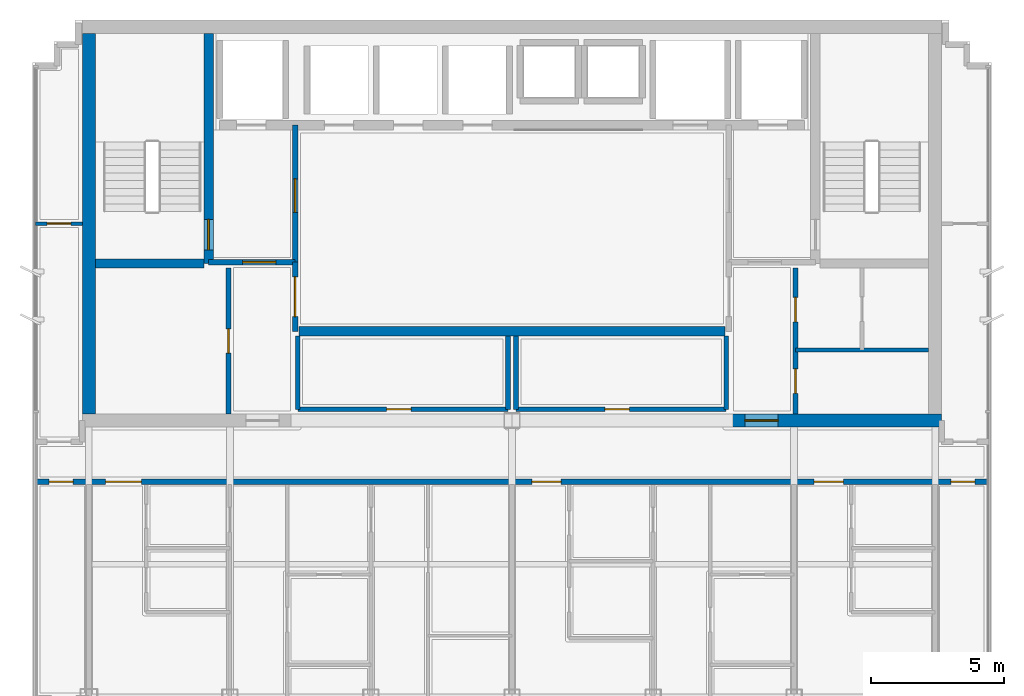
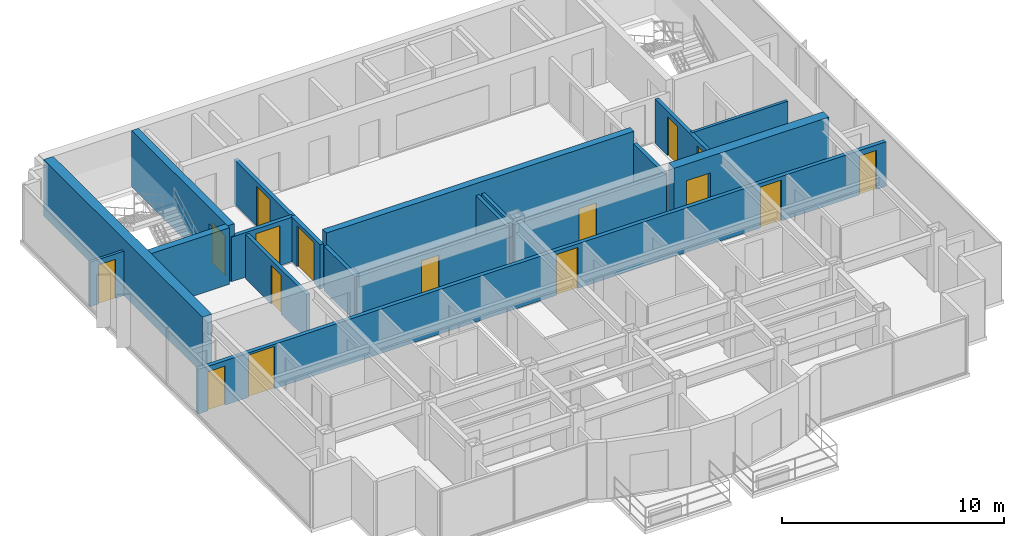
# One storey, part 7 of 11: 19 walls, 16 doors, 16 openings.
"""IFC4 building model written with IfcOpenShell, lengths in metres."""

from ifc_helpers import new_model, si_unit, direction, frame, frame_2d, origin, place, context, subcontext, project, spatial, rectangle, extrude, material, layer, layer_set, type_object, element, fill, save


model = new_model("IFC4")

# Units and contexts
model_context = context("Model", 3, precision=1e-05, world=origin(), true_north=direction((0.0, 1.0)))
body_context = subcontext(model_context, "Body", "Model", "MODEL_VIEW")
ifc_project = project(units=[si_unit("LENGTHUNIT", "METRE"), si_unit("AREAUNIT", "SQUARE_METRE"), si_unit("VOLUMEUNIT", "CUBIC_METRE"), si_unit("PLANEANGLEUNIT", "RADIAN"), si_unit("MASSUNIT", "GRAM", prefix="KILO")], contexts=[model_context])

# Site, building, storey
site_placement = place(None, origin())
site = spatial("IfcSite", under=ifc_project, at=site_placement, CompositionType="ELEMENT")
building_placement = place(site_placement, origin())
building = spatial("IfcBuilding", under=site, at=building_placement, Name="Qianlan Lanfeng Residences", CompositionType="ELEMENT")
storey_placement = place(building_placement, frame((0.0, 0.0, 259.39990234375)))
storey = spatial("IfcBuildingStorey", under=building, at=storey_placement, Name="L72", CompositionType="ELEMENT", Elevation=259.39990234375)

# Wall, opening, door
ifc_material_1 = material(Name="Concrete C49", Category="concrete")
ifc_layer_1 = layer(ifc_material_1, 0.35009765625)
ifc_layer_set_1 = layer_set([ifc_layer_1], Name="Concrete C49")
wall_type_1 = type_object("IfcWallType", Name="CW-RC-350", PredefinedType="SHEAR", material=ifc_layer_set_1)
wall_1_placement = place(storey_placement, frame((15.10009765625, 31.10009765625, 0.0), z_axis=(0.0, 0.0, 1.0), x_axis=(0.0, 1.0, 0.0)))
wall_1 = element("IfcWall", 1, at=wall_1_placement, inside=storey, type_object=wall_type_1, Name="L72 Core Shear Wall ST1E", PredefinedType="SHEAR", context=body_context, shape_type="SweptSolid", body=[
    extrude(rectangle(XDim=8.64990234375, YDim=0.35009765625, at=frame_2d((4.324951171875, 0.0))), origin(), (0.0, 0.0, 1.0), 3.110107421875),
])
opening_1_placement = place(wall_1_placement, frame((0.510009765625, 0.0, 0.0)))
opening_1 = element("IfcOpeningElement", 2, at=opening_1_placement, cuts=wall_1, Name="Opening L72-D07", PredefinedType="OPENING", context=body_context, shape_type="SweptSolid", body=[
    extrude(rectangle(XDim=1.14990234375, YDim=2.199951171875, at=frame_2d((0.574951171875, 1.10009765625))), frame((0.0, 0.18505859375, 0.0), z_axis=(0.0, -1.0, 0.0), x_axis=(1.0, 0.0, 0.0)), (0.0, 0.0, 1.0), 0.3701171875),
])
ifc_material_2 = material(Name="Painted Galvanised Steel Fire Door", Category="steel")
door_type_1 = type_object("IfcDoorType", Name="DT-ST1", OperationType="NOTDEFINED", PredefinedType="DOOR", material=ifc_material_2)
door_1_placement = place(opening_1_placement, frame((1.14990234375, 0.0, 0.0), z_axis=(0.0, 0.0, 1.0), x_axis=(-1.0, 0.0, 0.0)))
door_1 = element("IfcDoor", 3, at=door_1_placement, inside=storey, type_object=door_type_1, Name="L72 Exit Stair ST-1 Door L72-D07 (DT-ST1)", OperationType="SINGLE_SWING_RIGHT", OverallHeight=2.199951171875, OverallWidth=1.14990234375, PredefinedType="DOOR", context=body_context, shape_type="SweptSolid", body=[
    extrude(rectangle(XDim=1.14990234375, YDim=2.199951171875, at=frame_2d((0.574951171875, 1.10009765625))), frame((0.0, 0.02490234375, 0.0), z_axis=(0.0, -1.0, 0.0), x_axis=(1.0, 0.0, 0.0)), (0.0, 0.0, 1.0), 0.050048828125),
])
fill(opening_1, door_1)

# Walls
wall_2_placement = place(storey_placement, frame((10.85009765625, 31.10009765625, 0.0), z_axis=(0.0, 0.0, 1.0), x_axis=(1.0, 0.0, 0.0)))
element("IfcWall", 4, at=wall_2_placement, inside=storey, type_object=wall_type_1, Name="L72 Core Shear Wall ST1S", PredefinedType="SHEAR", context=body_context, shape_type="SweptSolid", body=[
    extrude(rectangle(XDim=4.074951171875, YDim=0.35009765625, at=frame_2d((2.03759765625, 0.0))), origin(), (0.0, 0.0, 1.0), 3.110107421875),
])
wall_3_placement = place(storey_placement, frame((18.5, 28.550048828125, 0.0), z_axis=(0.0, 0.0, 1.0), x_axis=(1.0, 0.0, 0.0)))
element("IfcWall", 5, at=wall_3_placement, inside=storey, type_object=wall_type_1, Name="L72 Core Shear Wall LBS", PredefinedType="SHEAR", context=body_context, shape_type="SweptSolid", body=[
    extrude(rectangle(XDim=16.0, YDim=0.35009765625, at=frame_2d((8.0, 0.0))), origin(), (0.0, 0.0, 1.0), 3.110107421875),
])
ifc_material_3 = material(Name="Concrete C70", Category="concrete")
ifc_layer_2 = layer(ifc_material_3, 0.5)
ifc_layer_set_2 = layer_set([ifc_layer_2], Name="Concrete C70")
wall_type_2 = type_object("IfcWallType", Name="CW-RC-500", PredefinedType="SHEAR", material=ifc_layer_set_2)
wall_4_placement = place(storey_placement, frame((10.60009765625, 25.449951171875, 0.0), z_axis=(0.0, 0.0, 1.0), x_axis=(0.0, 1.0, 0.0)))
element("IfcWall", 6, at=wall_4_placement, inside=storey, type_object=wall_type_2, Name="L72 Core Shear Wall W", PredefinedType="SHEAR", context=body_context, shape_type="SweptSolid", body=[
    extrude(rectangle(XDim=14.300048828125, YDim=0.5, at=frame_2d((7.14990234375, 0.0))), origin(), (0.0, 0.0, 1.0), 3.110107421875),
])

# Wall, opening, door
wall_5_placement = place(storey_placement, frame((34.60009765625, 25.199951171875, 0.0), z_axis=(0.0, 0.0, 1.0), x_axis=(1.0, 0.0, 0.0)))
wall_5 = element("IfcWall", 7, at=wall_5_placement, inside=storey, type_object=wall_type_2, Name="L72 Core Shear Wall SE", PredefinedType="SHEAR", context=body_context, shape_type="SweptSolid", body=[
    extrude(rectangle(XDim=8.0498046875, YDim=0.5, at=frame_2d((4.02490234375, 0.0))), origin(), (0.0, 0.0, 1.0), 3.110107421875),
])
opening_2_placement = place(wall_5_placement, frame((0.64990234375, 0.0, 0.0)))
opening_2 = element("IfcOpeningElement", 8, at=opening_2_placement, cuts=wall_5, Name="Opening L72-D02", PredefinedType="OPENING", context=body_context, shape_type="SweptSolid", body=[
    extrude(rectangle(XDim=1.25, YDim=2.199951171875, at=frame_2d((0.625, 1.10009765625))), frame((0.0, 0.260009765625, 0.0), z_axis=(0.0, -1.0, 0.0), x_axis=(1.0, 0.0, 0.0)), (0.0, 0.0, 1.0), 0.52001953125),
])
door_type_2 = type_object("IfcDoorType", Name="DT-FFL", OperationType="NOTDEFINED", PredefinedType="DOOR", material=ifc_material_2)
door_2_placement = place(opening_2_placement, origin())
door_2 = element("IfcDoor", 9, at=door_2_placement, inside=storey, type_object=door_type_2, Name="L72 East Core Lobby Smoke Door L72-D02 (DT-FFL)", OperationType="SINGLE_SWING_LEFT", OverallHeight=2.199951171875, OverallWidth=1.25, PredefinedType="DOOR", context=body_context, shape_type="SweptSolid", body=[
    extrude(rectangle(XDim=1.25, YDim=2.199951171875, at=frame_2d((0.625, 1.10009765625))), frame((0.0, 0.02490234375, 0.0), z_axis=(0.0, -1.0, 0.0), x_axis=(1.0, 0.0, 0.0)), (0.0, 0.0, 1.0), 0.050048828125),
])
fill(opening_2, door_2)

ifc_material_4 = material(Name="Moisture-Resistant Gypsum Partition 135 mm")
ifc_layer_3 = layer(ifc_material_4, 0.135009765625)
ifc_layer_set_3 = layer_set([ifc_layer_3], Name="Moisture-Resistant Gypsum Partition 135 mm")
wall_type_3 = type_object("IfcWallType", Name="PW-135", PredefinedType="PARTITIONING", material=ifc_layer_set_3)
wall_6_placement = place(storey_placement, frame((8.60009765625, 32.60009765625, 0.0), z_axis=(0.0, 0.0, 1.0), x_axis=(1.0, 0.0, 0.0)))
wall_6 = element("IfcWall", 10, at=wall_6_placement, inside=storey, type_object=wall_type_3, Name="L72 WW North Wing Wall", PredefinedType="PARTITIONING", context=body_context, shape_type="SweptSolid", body=[
    extrude(rectangle(XDim=1.75, YDim=0.135009765625, at=frame_2d((0.875, 0.0))), origin(), (0.0, 0.0, 1.0), 2.4501953125),
])
opening_3_placement = place(wall_6_placement, frame((0.425048828125, 0.0, 0.0)))
opening_3 = element("IfcOpeningElement", 11, at=opening_3_placement, cuts=wall_6, Name="Opening L72-D44", PredefinedType="OPENING", context=body_context, shape_type="SweptSolid", body=[
    extrude(rectangle(XDim=0.89990234375, YDim=2.14990234375, at=frame_2d((0.449951171875, 1.074951171875))), frame((0.0, 0.07763671875, 0.0), z_axis=(0.0, -1.0, 0.0), x_axis=(1.0, 0.0, 0.0)), (0.0, 0.0, 1.0), 0.155029296875),
])
ifc_material_5 = material(Name="Moisture-Resistant Timber Leaf", Category="wood")
door_type_3 = type_object("IfcDoorType", Name="DT-WC", OperationType="NOTDEFINED", PredefinedType="DOOR", material=ifc_material_5)
door_3_placement = place(opening_3_placement, origin())
door_3 = element("IfcDoor", 12, at=door_3_placement, inside=storey, type_object=door_type_3, Name="L72 WW Inner Salon Door L72-D44 (DT-WC)", OperationType="SINGLE_SWING_LEFT", OverallHeight=2.14990234375, OverallWidth=0.89990234375, PredefinedType="DOOR", context=body_context, shape_type="SweptSolid", body=[
    extrude(rectangle(XDim=0.89990234375, YDim=2.14990234375, at=frame_2d((0.449951171875, 1.074951171875))), frame((0.0, 0.02490234375, 0.0), z_axis=(0.0, -1.0, 0.0), x_axis=(1.0, 0.0, 0.0)), (0.0, 0.0, 1.0), 0.050048828125),
])
fill(opening_3, door_3)

# Wall
ifc_material_6 = material(Name="Acoustic Drywall Partition 150 mm")
ifc_layer_4 = layer(ifc_material_6, 0.14990234375)
ifc_layer_set_4 = layer_set([ifc_layer_4], Name="Acoustic Drywall Partition 150 mm")
wall_type_4 = type_object("IfcWallType", Name="PW-150", PredefinedType="PARTITIONING", material=ifc_layer_set_4)
wall_7_placement = place(storey_placement, frame((37.14990234375, 27.85009765625, 0.0), z_axis=(0.0, 0.0, 1.0), x_axis=(1.0, 0.0, 0.0)))
element("IfcWall", 13, at=wall_7_placement, inside=storey, type_object=wall_type_4, Name="L72 Core East H Split", PredefinedType="PARTITIONING", context=body_context, shape_type="SweptSolid", body=[
    extrude(rectangle(XDim=5.0, YDim=0.14990234375, at=frame_2d((2.5, 0.0))), origin(), (0.0, 0.0, 1.0), 2.4501953125),
])

# Wall, opening, door
ifc_material_7 = material(Name="Double-Layer Acoustic Gypsum Stud Wall 180 mm")
ifc_layer_5 = layer(ifc_material_7, 0.179931640625)
ifc_layer_set_5 = layer_set([ifc_layer_5], Name="Double-Layer Acoustic Gypsum Stud Wall 180 mm")
wall_type_5 = type_object("IfcWallType", Name="PW-180", PredefinedType="PARTITIONING", material=ifc_layer_set_5)
wall_8_placement = place(storey_placement, frame((15.85009765625, 25.449951171875, 0.0), z_axis=(0.0, 0.0, 1.0), x_axis=(0.0, 1.0, 0.0)))
wall_8 = element("IfcWall", 14, at=wall_8_placement, inside=storey, type_object=wall_type_5, Name="L72 Core West Service Room Wall", PredefinedType="PARTITIONING", context=body_context, shape_type="SweptSolid", body=[
    extrude(rectangle(XDim=5.47509765625, YDim=0.179931640625, at=frame_2d((2.737548828125, 0.0))), origin(), (0.0, 0.0, 1.0), 2.4501953125),
])
opening_4_placement = place(wall_8_placement, frame((2.277099609375, 0.0, 0.0)))
opening_4 = element("IfcOpeningElement", 15, at=opening_4_placement, cuts=wall_8, Name="Opening L72-D09", PredefinedType="OPENING", context=body_context, shape_type="SweptSolid", body=[
    extrude(rectangle(XDim=0.919921875, YDim=2.14990234375, at=frame_2d((0.4599609375, 1.074951171875))), frame((0.0, 0.10009765625, 0.0), z_axis=(0.0, -1.0, 0.0), x_axis=(1.0, 0.0, 0.0)), (0.0, 0.0, 1.0), 0.199951171875),
])
ifc_material_8 = material(Name="Glazed Timber Kitchen/Study Door", Category="wood")
door_type_4 = type_object("IfcDoorType", Name="DT-INT", OperationType="NOTDEFINED", PredefinedType="DOOR", material=ifc_material_8)
door_4_placement = place(opening_4_placement, origin())
door_4 = element("IfcDoor", 16, at=door_4_placement, inside=storey, type_object=door_type_4, Name="L72 Storage Room Door L72-D09 (DT-INT)", OperationType="SINGLE_SWING_RIGHT", OverallHeight=2.14990234375, OverallWidth=0.919921875, PredefinedType="DOOR", context=body_context, shape_type="SweptSolid", body=[
    extrude(rectangle(XDim=0.919921875, YDim=2.14990234375, at=frame_2d((0.4599609375, 1.074951171875))), frame((0.0, 0.02490234375, 0.0), z_axis=(0.0, -1.0, 0.0), x_axis=(1.0, 0.0, 0.0)), (0.0, 0.0, 1.0), 0.050048828125),
])
fill(opening_4, door_4)

# Wall, openings, doors
wall_9_placement = place(storey_placement, frame((37.14990234375, 25.449951171875, 0.0), z_axis=(0.0, 0.0, 1.0), x_axis=(0.0, 1.0, 0.0)))
wall_9 = element("IfcWall", 17, at=wall_9_placement, inside=storey, type_object=wall_type_5, Name="L72 Core East Service Room Wall", PredefinedType="PARTITIONING", context=body_context, shape_type="SweptSolid", body=[
    extrude(rectangle(XDim=5.47509765625, YDim=0.179931640625, at=frame_2d((2.737548828125, 0.0))), origin(), (0.0, 0.0, 1.0), 2.4501953125),
])
opening_5_placement = place(wall_9_placement, frame((0.764892578125, 0.0, 0.0)))
opening_5 = element("IfcOpeningElement", 18, at=opening_5_placement, cuts=wall_9, Name="Opening L72-D10", PredefinedType="OPENING", context=body_context, shape_type="SweptSolid", body=[
    extrude(rectangle(XDim=0.919921875, YDim=2.14990234375, at=frame_2d((0.4599609375, 1.074951171875))), frame((0.0, 0.10009765625, 0.0), z_axis=(0.0, -1.0, 0.0), x_axis=(1.0, 0.0, 0.0)), (0.0, 0.0, 1.0), 0.199951171875),
])
opening_6_placement = place(wall_9_placement, frame((3.451904296875, 0.0, 0.0)))
opening_6 = element("IfcOpeningElement", 19, at=opening_6_placement, cuts=wall_9, Name="Opening L72-D11", PredefinedType="OPENING", context=body_context, shape_type="SweptSolid", body=[
    extrude(rectangle(XDim=0.919921875, YDim=2.14990234375, at=frame_2d((0.4599609375, 1.074951171875))), frame((0.0, 0.10009765625, 0.0), z_axis=(0.0, -1.0, 0.0), x_axis=(1.0, 0.0, 0.0)), (0.0, 0.0, 1.0), 0.199951171875),
])
door_5_placement = place(opening_5_placement, origin())
door_5 = element("IfcDoor", 20, at=door_5_placement, inside=storey, type_object=door_type_4, Name="L72 Refuse Room Door L72-D10 (DT-INT)", OperationType="SINGLE_SWING_LEFT", OverallHeight=2.14990234375, OverallWidth=0.919921875, PredefinedType="DOOR", context=body_context, shape_type="SweptSolid", body=[
    extrude(rectangle(XDim=0.919921875, YDim=2.14990234375, at=frame_2d((0.4599609375, 1.074951171875))), frame((0.0, 0.02490234375, 0.0), z_axis=(0.0, -1.0, 0.0), x_axis=(1.0, 0.0, 0.0)), (0.0, 0.0, 1.0), 0.050048828125),
])
fill(opening_5, door_5)
door_6_placement = place(opening_6_placement, origin())
door_6 = element("IfcDoor", 21, at=door_6_placement, inside=storey, type_object=door_type_4, Name="L72 Janitor Outer Door L72-D11 (DT-INT)", OperationType="SINGLE_SWING_RIGHT", OverallHeight=2.14990234375, OverallWidth=0.919921875, PredefinedType="DOOR", context=body_context, shape_type="SweptSolid", body=[
    extrude(rectangle(XDim=0.919921875, YDim=2.14990234375, at=frame_2d((0.4599609375, 1.074951171875))), frame((0.0, 0.02490234375, 0.0), z_axis=(0.0, -1.0, 0.0), x_axis=(1.0, 0.0, 0.0)), (0.0, 0.0, 1.0), 0.050048828125),
])
fill(opening_6, door_6)

# Walls
for number, where, z_axis, x_axis, name in (
    (22, (18.449951171875, 25.6201171875, 0.0), (0.0, 0.0, 1.0), (0.0, 1.0, 0.0), "L72 Reclaimed Low-Bank Room West Wall"),
    (23, (26.35009765625, 25.6201171875, 0.0), (0.0, 0.0, 1.0), (0.0, 1.0, 0.0), "L72 Reclaimed Low-Bank Room East Wall"),
):
    element("IfcWall", number, at=place(storey_placement, frame(where, z_axis=z_axis, x_axis=x_axis)), inside=storey, type_object=wall_type_5, Name=name, PredefinedType="PARTITIONING", context=body_context, shape_type="SweptSolid", body=[
        extrude(rectangle(XDim=2.7548828125, YDim=0.179931640625, at=frame_2d((1.37744140625, 0.0))), origin(), (0.0, 0.0, 1.0), 2.4501953125),
    ])

# Wall, opening, door
wall_10_placement = place(storey_placement, frame((18.449951171875, 25.6201171875, 0.0), z_axis=(0.0, 0.0, 1.0), x_axis=(1.0, 0.0, 0.0)))
wall_10 = element("IfcWall", 24, at=wall_10_placement, inside=storey, type_object=wall_type_5, Name="L72 Reclaimed Low-Bank Room South Wall", PredefinedType="PARTITIONING", context=body_context, shape_type="SweptSolid", body=[
    extrude(rectangle(XDim=7.900146484375, YDim=0.179931640625, at=frame_2d((3.9501953125, 0.0))), origin(), (0.0, 0.0, 1.0), 2.4501953125),
])
opening_7_placement = place(wall_10_placement, frame((3.340087890625, 0.0, 0.0)))
opening_7 = element("IfcOpeningElement", 25, at=opening_7_placement, cuts=wall_10, Name="Opening L72-D15", PredefinedType="OPENING", context=body_context, shape_type="SweptSolid", body=[
    extrude(rectangle(XDim=0.919921875, YDim=2.14990234375, at=frame_2d((0.4599609375, 1.074951171875))), frame((0.0, 0.10009765625, 0.0), z_axis=(0.0, -1.0, 0.0), x_axis=(1.0, 0.0, 0.0)), (0.0, 0.0, 1.0), 0.199951171875),
])
door_7_placement = place(opening_7_placement, origin())
door_7 = element("IfcDoor", 26, at=door_7_placement, inside=storey, type_object=door_type_4, Name="L72 Reclaimed Core Salon Door L72-D15 (DT-INT)", OperationType="SINGLE_SWING_RIGHT", OverallHeight=2.14990234375, OverallWidth=0.919921875, PredefinedType="DOOR", context=body_context, shape_type="SweptSolid", body=[
    extrude(rectangle(XDim=0.919921875, YDim=2.14990234375, at=frame_2d((0.4599609375, 1.074951171875))), frame((0.0, 0.02490234375, 0.0), z_axis=(0.0, -1.0, 0.0), x_axis=(1.0, 0.0, 0.0)), (0.0, 0.0, 1.0), 0.050048828125),
])
fill(opening_7, door_7)

# Walls
for number, where, z_axis, x_axis, name in (
    (27, (26.64990234375, 25.6201171875, 0.0), (0.0, 0.0, 1.0), (0.0, 1.0, 0.0), "L72 Reclaimed Mid-Bank Room West Wall"),
    (28, (34.550048828125, 25.6201171875, 0.0), (0.0, 0.0, 1.0), (0.0, 1.0, 0.0), "L72 Reclaimed Mid-Bank Room East Wall"),
):
    element("IfcWall", number, at=place(storey_placement, frame(where, z_axis=z_axis, x_axis=x_axis)), inside=storey, type_object=wall_type_5, Name=name, PredefinedType="PARTITIONING", context=body_context, shape_type="SweptSolid", body=[
        extrude(rectangle(XDim=2.7548828125, YDim=0.179931640625, at=frame_2d((1.37744140625, 0.0))), origin(), (0.0, 0.0, 1.0), 2.4501953125),
    ])

# Wall, opening, door
wall_11_placement = place(storey_placement, frame((26.64990234375, 25.6201171875, 0.0), z_axis=(0.0, 0.0, 1.0), x_axis=(1.0, 0.0, 0.0)))
wall_11 = element("IfcWall", 29, at=wall_11_placement, inside=storey, type_object=wall_type_5, Name="L72 Reclaimed Mid-Bank Room South Wall", PredefinedType="PARTITIONING", context=body_context, shape_type="SweptSolid", body=[
    extrude(rectangle(XDim=7.900146484375, YDim=0.179931640625, at=frame_2d((3.9501953125, 0.0))), origin(), (0.0, 0.0, 1.0), 2.4501953125),
])
opening_8_placement = place(wall_11_placement, frame((3.340087890625, 0.0, 0.0)))
opening_8 = element("IfcOpeningElement", 30, at=opening_8_placement, cuts=wall_11, Name="Opening L72-D16", PredefinedType="OPENING", context=body_context, shape_type="SweptSolid", body=[
    extrude(rectangle(XDim=0.919921875, YDim=2.14990234375, at=frame_2d((0.4599609375, 1.074951171875))), frame((0.0, 0.10009765625, 0.0), z_axis=(0.0, -1.0, 0.0), x_axis=(1.0, 0.0, 0.0)), (0.0, 0.0, 1.0), 0.199951171875),
])
door_8_placement = place(opening_8_placement, origin())
door_8 = element("IfcDoor", 31, at=door_8_placement, inside=storey, type_object=door_type_4, Name="L72 Reclaimed Mid-Bank Salon Door L72-D16 (DT-INT)", OperationType="SINGLE_SWING_LEFT", OverallHeight=2.14990234375, OverallWidth=0.919921875, PredefinedType="DOOR", context=body_context, shape_type="SweptSolid", body=[
    extrude(rectangle(XDim=0.919921875, YDim=2.14990234375, at=frame_2d((0.4599609375, 1.074951171875))), frame((0.0, 0.02490234375, 0.0), z_axis=(0.0, -1.0, 0.0), x_axis=(1.0, 0.0, 0.0)), (0.0, 0.0, 1.0), 0.050048828125),
])
fill(opening_8, door_8)

ifc_material_9 = material(Name="Autoclaved Aerated Concrete Blockwork 200 mm", Category="masonry")
ifc_layer_6 = layer(ifc_material_9, 0.199951171875)
ifc_layer_set_6 = layer_set([ifc_layer_6], Name="Autoclaved Aerated Concrete Blockwork 200 mm")
wall_type_6 = type_object("IfcWallType", Name="PW-200", PredefinedType="PARTITIONING", material=ifc_layer_set_6)
wall_12_placement = place(storey_placement, frame((15.10009765625, 31.14990234375, 0.0), z_axis=(0.0, 0.0, 1.0), x_axis=(1.0, 0.0, 0.0)))
wall_12 = element("IfcWall", 32, at=wall_12_placement, inside=storey, type_object=wall_type_6, Name="L72 Firefighting Lobby 1 South Wall", PredefinedType="PARTITIONING", context=body_context, shape_type="SweptSolid", body=[
    extrude(rectangle(XDim=3.25, YDim=0.199951171875, at=frame_2d((1.625, 0.0))), origin(), (0.0, 0.0, 1.0), 2.4501953125),
])
opening_9_placement = place(wall_12_placement, frame((1.27490234375, 0.0, 0.0)))
opening_9 = element("IfcOpeningElement", 33, at=opening_9_placement, cuts=wall_12, Name="Opening L72-D03", PredefinedType="OPENING", context=body_context, shape_type="SweptSolid", body=[
    extrude(rectangle(XDim=1.25, YDim=2.199951171875, at=frame_2d((0.625, 1.10009765625))), frame((0.0, 0.10986328125, 0.0), z_axis=(0.0, -1.0, 0.0), x_axis=(1.0, 0.0, 0.0)), (0.0, 0.0, 1.0), 0.219970703125),
])
door_9_placement = place(opening_9_placement, origin())
door_9 = element("IfcDoor", 34, at=door_9_placement, inside=storey, type_object=door_type_2, Name="L72 Firefighting Lobby 1 Entry Door L72-D03 (DT-FFL)", OperationType="SINGLE_SWING_LEFT", OverallHeight=2.199951171875, OverallWidth=1.25, PredefinedType="DOOR", context=body_context, shape_type="SweptSolid", body=[
    extrude(rectangle(XDim=1.25, YDim=2.199951171875, at=frame_2d((0.625, 1.10009765625))), frame((0.0, 0.02490234375, 0.0), z_axis=(0.0, -1.0, 0.0), x_axis=(1.0, 0.0, 0.0)), (0.0, 0.0, 1.0), 0.050048828125),
])
fill(opening_9, door_9)

wall_13_placement = place(storey_placement, frame((18.35009765625, 31.14990234375, 0.0), z_axis=(0.0, 0.0, 1.0), x_axis=(0.0, 1.0, 0.0)))
wall_13 = element("IfcWall", 35, at=wall_13_placement, inside=storey, type_object=wall_type_6, Name="L72 Firefighting Lobby 1 East Wall", PredefinedType="PARTITIONING", context=body_context, shape_type="SweptSolid", body=[
    extrude(rectangle(XDim=5.150146484375, YDim=0.199951171875, at=frame_2d((2.5751953125, 0.0))), origin(), (0.0, 0.0, 1.0), 2.4501953125),
])
opening_10_placement = place(wall_13_placement, frame((1.875, 0.0, 0.0)))
opening_10 = element("IfcOpeningElement", 36, at=opening_10_placement, cuts=wall_13, Name="Opening L72-D04", PredefinedType="OPENING", context=body_context, shape_type="SweptSolid", body=[
    extrude(rectangle(XDim=1.25, YDim=2.199951171875, at=frame_2d((0.625, 1.10009765625))), frame((0.0, 0.10986328125, 0.0), z_axis=(0.0, -1.0, 0.0), x_axis=(1.0, 0.0, 0.0)), (0.0, 0.0, 1.0), 0.219970703125),
])
door_10_placement = place(opening_10_placement, origin())
door_10 = element("IfcDoor", 37, at=door_10_placement, inside=storey, type_object=door_type_2, Name="L72 Firefighting Lobby 1 Lift Lobby Door L72-D04 (DT-FFL)", OperationType="SINGLE_SWING_LEFT", OverallHeight=2.199951171875, OverallWidth=1.25, PredefinedType="DOOR", context=body_context, shape_type="SweptSolid", body=[
    extrude(rectangle(XDim=1.25, YDim=2.199951171875, at=frame_2d((0.625, 1.10009765625))), frame((0.0, 0.02490234375, 0.0), z_axis=(0.0, -1.0, 0.0), x_axis=(1.0, 0.0, 0.0)), (0.0, 0.0, 1.0), 0.050048828125),
])
fill(opening_10, door_10)

wall_14_placement = place(storey_placement, frame((18.35009765625, 28.550048828125, 0.0), z_axis=(0.0, 0.0, 1.0), x_axis=(0.0, 1.0, 0.0)))
wall_14 = element("IfcWall", 38, at=wall_14_placement, inside=storey, type_object=wall_type_6, Name="L72 Lift Lobby West Connector Wall", PredefinedType="PARTITIONING", context=body_context, shape_type="SweptSolid", body=[
    extrude(rectangle(XDim=2.599853515625, YDim=0.199951171875, at=frame_2d((1.2998046875, 0.0))), origin(), (0.0, 0.0, 1.0), 2.4501953125),
])
opening_11_placement = place(wall_14_placement, frame((0.550048828125, 0.0, 0.0)))
opening_11 = element("IfcOpeningElement", 39, at=opening_11_placement, cuts=wall_14, Name="Opening L72-D13", PredefinedType="OPENING", context=body_context, shape_type="SweptSolid", body=[
    extrude(rectangle(XDim=1.5, YDim=2.25, at=frame_2d((0.75, 1.125))), frame((0.0, 0.10986328125, 0.0), z_axis=(0.0, -1.0, 0.0), x_axis=(1.0, 0.0, 0.0)), (0.0, 0.0, 1.0), 0.219970703125),
])
ifc_material_10 = material(Name="Timber Veneer Acoustic Fire Door", Category="wood")
door_type_5 = type_object("IfcDoorType", Name="DT-COR1", OperationType="NOTDEFINED", PredefinedType="DOOR", material=ifc_material_10)
door_11_placement = place(opening_11_placement, origin())
door_11 = element("IfcDoor", 40, at=door_11_placement, inside=storey, type_object=door_type_5, Name="L72 Lift Lobby West Portal Door L72-D13 (DT-COR1)", OperationType="DOUBLE_DOOR_SINGLE_SWING", OverallHeight=2.25, OverallWidth=1.5, PredefinedType="DOOR", context=body_context, shape_type="SweptSolid", body=[
    extrude(rectangle(XDim=1.5, YDim=2.25, at=frame_2d((0.75, 1.125))), frame((0.0, 0.02490234375, 0.0), z_axis=(0.0, -1.0, 0.0), x_axis=(1.0, 0.0, 0.0)), (0.0, 0.0, 1.0), 0.050048828125),
])
fill(opening_11, door_11)

# Wall, openings, doors
wall_15_placement = place(storey_placement, frame((8.60009765625, 22.89990234375, 0.0), z_axis=(0.0, 0.0, 1.0), x_axis=(1.0, 0.0, 0.0)))
wall_15 = element("IfcWall", 41, at=wall_15_placement, inside=storey, type_object=wall_type_6, Name="L72 Residential Corridor South Fire Wall", PredefinedType="PARTITIONING", context=body_context, shape_type="SweptSolid", body=[
    extrude(rectangle(XDim=35.7998046875, YDim=0.199951171875, at=frame_2d((17.89990234375, 0.0))), origin(), (0.0, 0.0, 1.0), 2.4501953125),
])
opening_12_placement = place(wall_15_placement, frame((2.625, 0.0, 0.0)))
opening_12 = element("IfcOpeningElement", 42, at=opening_12_placement, cuts=wall_15, Name="Opening L72-D17", PredefinedType="OPENING", context=body_context, shape_type="SweptSolid", body=[
    extrude(rectangle(XDim=1.35009765625, YDim=2.330078125, at=frame_2d((0.675048828125, 1.1650390625))), frame((0.0, 0.10986328125, 0.0), z_axis=(0.0, -1.0, 0.0), x_axis=(1.0, 0.0, 0.0)), (0.0, 0.0, 1.0), 0.219970703125),
])
opening_13_placement = place(wall_15_placement, frame((18.64990234375, 0.0, 0.0)))
opening_13 = element("IfcOpeningElement", 43, at=opening_13_placement, cuts=wall_15, Name="Opening L72-D29", PredefinedType="OPENING", context=body_context, shape_type="SweptSolid", body=[
    extrude(rectangle(XDim=1.10009765625, YDim=2.25, at=frame_2d((0.550048828125, 1.125))), frame((0.0, 0.10986328125, 0.0), z_axis=(0.0, -1.0, 0.0), x_axis=(1.0, 0.0, 0.0)), (0.0, 0.0, 1.0), 0.219970703125),
])
opening_14_placement = place(wall_15_placement, frame((29.25, 0.0, 0.0)))
opening_14 = element("IfcOpeningElement", 44, at=opening_14_placement, cuts=wall_15, Name="Opening L72-D37", PredefinedType="OPENING", context=body_context, shape_type="SweptSolid", body=[
    extrude(rectangle(XDim=1.10009765625, YDim=2.25, at=frame_2d((0.550048828125, 1.125))), frame((0.0, 0.10986328125, 0.0), z_axis=(0.0, -1.0, 0.0), x_axis=(1.0, 0.0, 0.0)), (0.0, 0.0, 1.0), 0.219970703125),
])
opening_15_placement = place(wall_15_placement, frame((0.5048828125, 0.0, 0.0)))
opening_15 = element("IfcOpeningElement", 45, at=opening_15_placement, cuts=wall_15, Name="Opening L72-D41", PredefinedType="OPENING", context=body_context, shape_type="SweptSolid", body=[
    extrude(rectangle(XDim=0.89990234375, YDim=2.14990234375, at=frame_2d((0.449951171875, 1.074951171875))), frame((0.0, 0.10986328125, 0.0), z_axis=(0.0, -1.0, 0.0), x_axis=(1.0, 0.0, 0.0)), (0.0, 0.0, 1.0), 0.219970703125),
])
opening_16_placement = place(wall_15_placement, frame((34.39501953125, 0.0, 0.0)))
opening_16 = element("IfcOpeningElement", 46, at=opening_16_placement, cuts=wall_15, Name="Opening L72-D43", PredefinedType="OPENING", context=body_context, shape_type="SweptSolid", body=[
    extrude(rectangle(XDim=0.89990234375, YDim=2.14990234375, at=frame_2d((0.449951171875, 1.074951171875))), frame((0.0, 0.10986328125, 0.0), z_axis=(0.0, -1.0, 0.0), x_axis=(1.0, 0.0, 0.0)), (0.0, 0.0, 1.0), 0.219970703125),
])
ifc_material_11 = material(Name="Solid-Core Walnut Double Entrance Door")
door_type_6 = type_object("IfcDoorType", Name="DT-PENT", OperationType="NOTDEFINED", PredefinedType="DOOR", material=ifc_material_11)
door_12_placement = place(opening_12_placement, origin())
door_12 = element("IfcDoor", 47, at=door_12_placement, inside=storey, type_object=door_type_6, Name="L72 Apartment U01 Entrance Door L72-D17 (DT-PENT)", OperationType="DOUBLE_DOOR_SINGLE_SWING", OverallHeight=2.330078125, OverallWidth=1.35009765625, PredefinedType="DOOR", context=body_context, shape_type="SweptSolid", body=[
    extrude(rectangle(XDim=1.35009765625, YDim=2.330078125, at=frame_2d((0.675048828125, 1.1650390625))), frame((0.0, 0.02490234375, 0.0), z_axis=(0.0, -1.0, 0.0), x_axis=(1.0, 0.0, 0.0)), (0.0, 0.0, 1.0), 0.050048828125),
])
fill(opening_12, door_12)
ifc_material_12 = material(Name="Solid-Core Oak Veneer Fire Door")
door_type_7 = type_object("IfcDoorType", Name="DT-UNIT", OperationType="NOTDEFINED", PredefinedType="DOOR", material=ifc_material_12)
door_13_placement = place(opening_13_placement, origin())
door_13 = element("IfcDoor", 48, at=door_13_placement, inside=storey, type_object=door_type_7, Name="L72 Apartment U02 Entrance Door L72-D29 (DT-UNIT)", OperationType="SINGLE_SWING_RIGHT", OverallHeight=2.25, OverallWidth=1.10009765625, PredefinedType="DOOR", context=body_context, shape_type="SweptSolid", body=[
    extrude(rectangle(XDim=1.10009765625, YDim=2.25, at=frame_2d((0.550048828125, 1.125))), frame((0.0, 0.02490234375, 0.0), z_axis=(0.0, -1.0, 0.0), x_axis=(1.0, 0.0, 0.0)), (0.0, 0.0, 1.0), 0.050048828125),
])
fill(opening_13, door_13)
door_14_placement = place(opening_14_placement, origin())
door_14 = element("IfcDoor", 49, at=door_14_placement, inside=storey, type_object=door_type_7, Name="L72 Apartment U03 Entrance Door L72-D37 (DT-UNIT)", OperationType="SINGLE_SWING_RIGHT", OverallHeight=2.25, OverallWidth=1.10009765625, PredefinedType="DOOR", context=body_context, shape_type="SweptSolid", body=[
    extrude(rectangle(XDim=1.10009765625, YDim=2.25, at=frame_2d((0.550048828125, 1.125))), frame((0.0, 0.02490234375, 0.0), z_axis=(0.0, -1.0, 0.0), x_axis=(1.0, 0.0, 0.0)), (0.0, 0.0, 1.0), 0.050048828125),
])
fill(opening_14, door_14)
door_15_placement = place(opening_15_placement, frame((0.89990234375, 0.0, 0.0), z_axis=(0.0, 0.0, 1.0), x_axis=(-1.0, 0.0, 0.0)))
door_15 = element("IfcDoor", 50, at=door_15_placement, inside=storey, type_object=door_type_3, Name="L72 SWP Corridor Door L72-D41 (DT-WC)", OperationType="SINGLE_SWING_LEFT", OverallHeight=2.14990234375, OverallWidth=0.89990234375, PredefinedType="DOOR", context=body_context, shape_type="SweptSolid", body=[
    extrude(rectangle(XDim=0.89990234375, YDim=2.14990234375, at=frame_2d((0.449951171875, 1.074951171875))), frame((0.0, 0.02490234375, 0.0), z_axis=(0.0, -1.0, 0.0), x_axis=(1.0, 0.0, 0.0)), (0.0, 0.0, 1.0), 0.050048828125),
])
fill(opening_15, door_15)
door_16_placement = place(opening_16_placement, origin())
door_16 = element("IfcDoor", 51, at=door_16_placement, inside=storey, type_object=door_type_3, Name="L72 SEP Corridor Door L72-D43 (DT-WC)", OperationType="SINGLE_SWING_RIGHT", OverallHeight=2.14990234375, OverallWidth=0.89990234375, PredefinedType="DOOR", context=body_context, shape_type="SweptSolid", body=[
    extrude(rectangle(XDim=0.89990234375, YDim=2.14990234375, at=frame_2d((0.449951171875, 1.074951171875))), frame((0.0, 0.02490234375, 0.0), z_axis=(0.0, -1.0, 0.0), x_axis=(1.0, 0.0, 0.0)), (0.0, 0.0, 1.0), 0.050048828125),
])
fill(opening_16, door_16)

save(model, "model.ifc")
